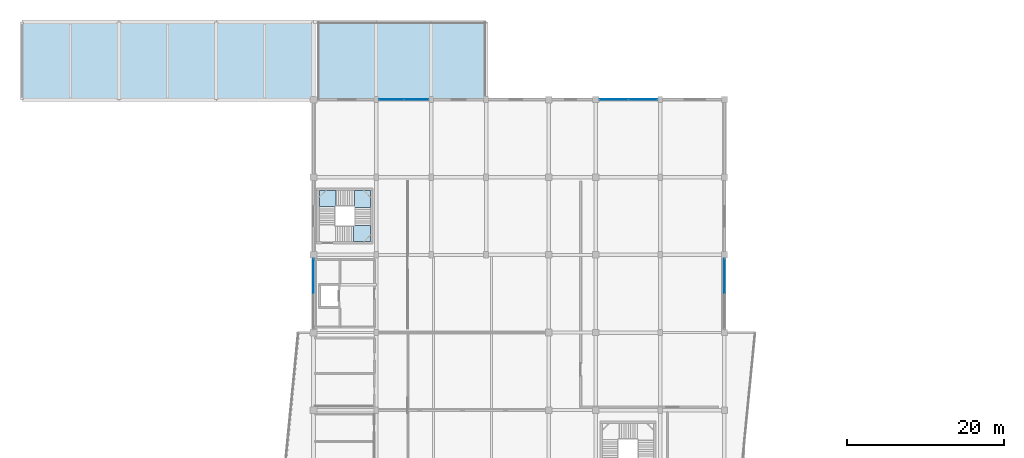
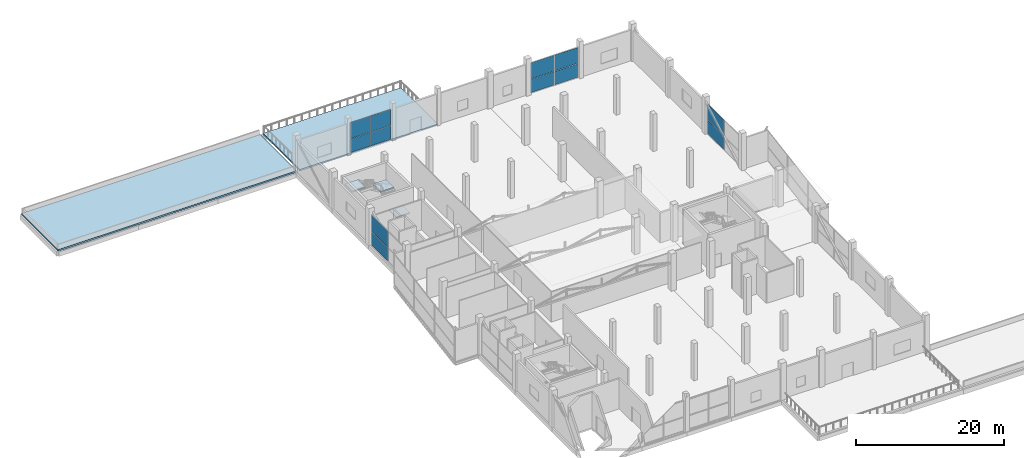
# One storey, part 36 of 58: 12 plates, 5 slabs, 5 elements without a shape of their own.
"""IFC4 building model written with IfcOpenShell, lengths in metres."""

from ifc_helpers import new_model, si_unit, direction, frame, origin, origin_2d, place, context, subcontext, project, spatial, polyline, rectangle, outline, extrude, material, layer, layer_set, type_object, element, aggregate, save


model = new_model("IFC4")

# Units and contexts
model_context = context("Model", 3, precision=1e-05, world=origin(), true_north=direction((0.0, 1.0)))
body_context = subcontext(model_context, "Body", "Model", "MODEL_VIEW")
ifc_project = project(units=[si_unit("LENGTHUNIT", "METRE"), si_unit("AREAUNIT", "SQUARE_METRE"), si_unit("VOLUMEUNIT", "CUBIC_METRE"), si_unit("PLANEANGLEUNIT", "RADIAN"), si_unit("MASSUNIT", "GRAM", prefix="KILO")], contexts=[model_context])

# Site, building, storey
site_placement = place(None, origin())
site = spatial("IfcSite", under=ifc_project, at=site_placement, CompositionType="ELEMENT")
building_placement = place(site_placement, origin())
building = spatial("IfcBuilding", under=site, at=building_placement, Name="Sillaruma Civic Art Gallery", CompositionType="ELEMENT")
storey_placement = place(building_placement, frame((0.0, 0.0, 22.43994140625)))
storey = spatial("IfcBuildingStorey", under=building, at=storey_placement, Name="L04", CompositionType="ELEMENT", Elevation=22.43994140625)

# Curtain wall, plates
ifc_material_1 = material(Name="Thermally Broken Extruded Aluminium 6063-T6", Category="aluminium")
ifc_layer_1 = layer(ifc_material_1, 0.139892578125, Name="Thermally Broken Extruded Aluminium 6063-T6")
ifc_layer_set_1 = layer_set([ifc_layer_1], Name="Thermally Broken Extruded Aluminium 6063-T6")
curtain_wall_type_1 = type_object("IfcCurtainWallType", Name="CW-UNI-26", PredefinedType="NOTDEFINED", material=ifc_layer_set_1)
curtain_wall_1_placement = place(storey_placement, origin())
curtain_wall_1 = element("IfcCurtainWall", 1, at=curtain_wall_1_placement, inside=storey, type_object=curtain_wall_type_1, Name="Unitised Curtain Wall CW-26 (CW-L04-N-2)", PredefinedType="NOTDEFINED")
ifc_material_2 = material(Name="Low-E UV-Filtered Laminated Insulating Glass", Category="glass")
ifc_layer_2 = layer(ifc_material_2, 0.028076171875, Name="Low-E UV-Filtered Laminated Insulating Glass")
ifc_layer_set_2 = layer_set([ifc_layer_2], Name="Low-E UV-Filtered Laminated Insulating Glass")
plate_type_1 = type_object("IfcPlateType", Name="PNL-GLZ-28", PredefinedType="CURTAIN_PANEL", material=ifc_layer_set_2)
plate_1_placement = place(storey_placement, frame((71.9150390625, 99.0, 0.06005859375), z_axis=(0.0, 0.0, 1.0), x_axis=(1.0, 0.0, 0.0)))
plate_1 = element("IfcPlate", 2, at=plate_1_placement, type_object=plate_type_1, Name="CW-26 panel 1.1", PredefinedType="CURTAIN_PANEL", context=body_context, shape_type="SweptSolid", body=[
    extrude(rectangle(XDim=3.110107421875, YDim=0.028076171875, at=origin_2d()), origin(), (0.0, 0.0, 1.0), 2.237548828125),
])
plate_2_placement = place(storey_placement, frame((71.9150390625, 99.0, 2.35791015625), z_axis=(0.0, 0.0, 1.0), x_axis=(1.0, 0.0, 0.0)))
plate_2 = element("IfcPlate", 3, at=plate_2_placement, type_object=plate_type_1, Name="CW-26 panel 1.2", PredefinedType="CURTAIN_PANEL", context=body_context, shape_type="SweptSolid", body=[
    extrude(rectangle(XDim=3.110107421875, YDim=0.028076171875, at=origin_2d()), origin(), (0.0, 0.0, 1.0), 2.642333984375),
])
plate_3_placement = place(storey_placement, frame((75.0849609375, 99.0, 0.06005859375), z_axis=(0.0, 0.0, 1.0), x_axis=(1.0, 0.0, 0.0)))
plate_3 = element("IfcPlate", 4, at=plate_3_placement, type_object=plate_type_1, Name="CW-26 panel 2.1", PredefinedType="CURTAIN_PANEL", context=body_context, shape_type="SweptSolid", body=[
    extrude(rectangle(XDim=3.110107421875, YDim=0.028076171875, at=origin_2d()), origin(), (0.0, 0.0, 1.0), 2.237548828125),
])
plate_4_placement = place(storey_placement, frame((75.0849609375, 99.0, 2.35791015625), z_axis=(0.0, 0.0, 1.0), x_axis=(1.0, 0.0, 0.0)))
plate_4 = element("IfcPlate", 5, at=plate_4_placement, type_object=plate_type_1, Name="CW-26 panel 2.2", PredefinedType="CURTAIN_PANEL", context=body_context, shape_type="SweptSolid", body=[
    extrude(rectangle(XDim=3.110107421875, YDim=0.028076171875, at=origin_2d()), origin(), (0.0, 0.0, 1.0), 2.642333984375),
])
aggregate(curtain_wall_1, [plate_1, plate_2, plate_3, plate_4])

# Curtain wall, plate
ifc_layer_3 = layer(ifc_material_1, 0.179931640625, Name="Thermally Broken Extruded Aluminium 6063-T6")
ifc_layer_set_3 = layer_set([ifc_layer_3], Name="Thermally Broken Extruded Aluminium 6063-T6")
curtain_wall_type_2 = type_object("IfcCurtainWallType", Name="CW-UNI-22", PredefinedType="NOTDEFINED", material=ifc_layer_set_3)
curtain_wall_2_placement = place(storey_placement, origin())
curtain_wall_2 = element("IfcCurtainWall", 6, at=curtain_wall_2_placement, inside=storey, type_object=curtain_wall_type_2, Name="Unitised Curtain Wall CW-22 (CW-L04-W-6)", PredefinedType="NOTDEFINED")
ifc_layer_4 = layer(ifc_material_2, 0.035888671875, Name="Low-E UV-Filtered Laminated Insulating Glass")
ifc_layer_set_4 = layer_set([ifc_layer_4], Name="Low-E UV-Filtered Laminated Insulating Glass")
plate_type_2 = type_object("IfcPlateType", Name="PNL-GLZ-36", PredefinedType="CURTAIN_PANEL", material=ifc_layer_set_4)
plate_5_placement = place(storey_placement, frame((62.0, 76.4951171875, 0.070068359375), z_axis=(0.0, 0.0, 1.0), x_axis=(0.0, 1.0, 0.0)))
plate_5 = element("IfcPlate", 7, at=plate_5_placement, type_object=plate_type_2, Name="CW-22 panel 2.1", PredefinedType="CURTAIN_PANEL", context=body_context, shape_type="SweptSolid", body=[
    extrude(rectangle(XDim=4.419921875, YDim=0.035888671875, at=origin_2d()), origin(), (0.0, 0.0, 1.0), 2.22265625),
])

# Curtain wall, plates
ifc_layer_5 = layer(ifc_material_1, 0.179931640625, Name="Thermally Broken Extruded Aluminium 6063-T6")
ifc_layer_set_5 = layer_set([ifc_layer_5], Name="Thermally Broken Extruded Aluminium 6063-T6")
curtain_wall_type_3 = type_object("IfcCurtainWallType", Name="CW-UNI-27", PredefinedType="NOTDEFINED", material=ifc_layer_set_5)
curtain_wall_3_placement = place(storey_placement, origin())
curtain_wall_3 = element("IfcCurtainWall", 8, at=curtain_wall_3_placement, inside=storey, type_object=curtain_wall_type_3, Name="Unitised Curtain Wall CW-27 (CW-L04-N-6)", PredefinedType="NOTDEFINED")
plate_6_placement = place(storey_placement, frame((100.29248046875, 99.0, 0.070068359375), z_axis=(0.0, 0.0, 1.0), x_axis=(1.0, 0.0, 0.0)))
plate_6 = element("IfcPlate", 9, at=plate_6_placement, type_object=plate_type_2, Name="CW-27 panel 1.1", PredefinedType="CURTAIN_PANEL", context=body_context, shape_type="SweptSolid", body=[
    extrude(rectangle(XDim=3.64501953125, YDim=0.035888671875, at=origin_2d()), origin(), (0.0, 0.0, 1.0), 2.22265625),
])
plate_7_placement = place(storey_placement, frame((100.29248046875, 99.0, 2.362548828125), z_axis=(0.0, 0.0, 1.0), x_axis=(1.0, 0.0, 0.0)))
plate_7 = element("IfcPlate", 10, at=plate_7_placement, type_object=plate_type_2, Name="CW-27 panel 1.2", PredefinedType="CURTAIN_PANEL", context=body_context, shape_type="SweptSolid", body=[
    extrude(rectangle(XDim=3.64501953125, YDim=0.035888671875, at=origin_2d()), origin(), (0.0, 0.0, 1.0), 2.62744140625),
])
plate_8_placement = place(storey_placement, frame((104.007568359375, 99.0, 0.070068359375), z_axis=(0.0, 0.0, 1.0), x_axis=(1.0, 0.0, 0.0)))
plate_8 = element("IfcPlate", 11, at=plate_8_placement, type_object=plate_type_2, Name="CW-27 panel 2.1", PredefinedType="CURTAIN_PANEL", context=body_context, shape_type="SweptSolid", body=[
    extrude(rectangle(XDim=3.64501953125, YDim=0.035888671875, at=origin_2d()), origin(), (0.0, 0.0, 1.0), 2.22265625),
])
plate_9_placement = place(storey_placement, frame((104.007568359375, 99.0, 2.362548828125), z_axis=(0.0, 0.0, 1.0), x_axis=(1.0, 0.0, 0.0)))
plate_9 = element("IfcPlate", 12, at=plate_9_placement, type_object=plate_type_2, Name="CW-27 panel 2.2", PredefinedType="CURTAIN_PANEL", context=body_context, shape_type="SweptSolid", body=[
    extrude(rectangle(XDim=3.64501953125, YDim=0.035888671875, at=origin_2d()), origin(), (0.0, 0.0, 1.0), 2.62744140625),
])
aggregate(curtain_wall_3, [plate_6, plate_7, plate_8, plate_9])

# Curtain wall, plate
ifc_layer_6 = layer(ifc_material_1, 0.179931640625, Name="Thermally Broken Extruded Aluminium 6063-T6")
ifc_layer_set_6 = layer_set([ifc_layer_6], Name="Thermally Broken Extruded Aluminium 6063-T6")
curtain_wall_type_4 = type_object("IfcCurtainWallType", Name="CW-UNI-21", PredefinedType="NOTDEFINED", material=ifc_layer_set_6)
curtain_wall_4_placement = place(storey_placement, origin())
curtain_wall_4 = element("IfcCurtainWall", 13, at=curtain_wall_4_placement, inside=storey, type_object=curtain_wall_type_4, Name="Unitised Curtain Wall CW-21 (CW-L04-E-6)", PredefinedType="NOTDEFINED")
ifc_layer_7 = layer(ifc_material_2, 0.0400390625, Name="Low-E UV-Filtered Laminated Insulating Glass")
ifc_layer_set_7 = layer_set([ifc_layer_7], Name="Low-E UV-Filtered Laminated Insulating Glass")
plate_type_3 = type_object("IfcPlateType", Name="PNL-GLZ-40", PredefinedType="CURTAIN_PANEL", material=ifc_layer_set_7)
plate_10_placement = place(storey_placement, frame((114.39990234375, 76.507568359375, 0.065185546875), z_axis=(0.0, 0.0, 1.0), x_axis=(0.0, 1.0, 0.0)))
plate_10 = element("IfcPlate", 14, at=plate_10_placement, type_object=plate_type_3, Name="CW-21 panel 2.1", PredefinedType="CURTAIN_PANEL", context=body_context, shape_type="SweptSolid", body=[
    extrude(rectangle(XDim=4.445068359375, YDim=0.0400390625, at=origin_2d()), origin(), (0.0, 0.0, 1.0), 2.22998046875),
])

# Plate
ifc_material_3 = material(Name="Anodised Zinc-Aluminium Alloy", Category="aluminium")
ifc_layer_8 = layer(ifc_material_3, 0.035888671875, Name="Anodised Zinc-Aluminium Alloy")
ifc_layer_set_8 = layer_set([ifc_layer_8], Name="Anodised Zinc-Aluminium Alloy")
plate_type_4 = type_object("IfcPlateType", Name="PNL-SPD-36", PredefinedType="CURTAIN_PANEL", material=ifc_layer_set_8)
plate_11_placement = place(storey_placement, frame((62.0, 76.4951171875, 2.362548828125), z_axis=(0.0, 0.0, 1.0), x_axis=(0.0, 1.0, 0.0)))
plate_11 = element("IfcPlate", 15, at=plate_11_placement, type_object=plate_type_4, Name="CW-22 panel 2.2", PredefinedType="CURTAIN_PANEL", context=body_context, shape_type="SweptSolid", body=[
    extrude(rectangle(XDim=4.419921875, YDim=0.035888671875, at=origin_2d()), origin(), (0.0, 0.0, 1.0), 2.62744140625),
])

aggregate(curtain_wall_2, [plate_5, plate_11])

ifc_layer_9 = layer(ifc_material_3, 0.0400390625, Name="Anodised Zinc-Aluminium Alloy")
ifc_layer_set_9 = layer_set([ifc_layer_9], Name="Anodised Zinc-Aluminium Alloy")
plate_type_5 = type_object("IfcPlateType", Name="PNL-SPD-40", PredefinedType="CURTAIN_PANEL", material=ifc_layer_set_9)
plate_12_placement = place(storey_placement, frame((114.39990234375, 76.507568359375, 2.35986328125), z_axis=(0.0, 0.0, 1.0), x_axis=(0.0, 1.0, 0.0)))
plate_12 = element("IfcPlate", 16, at=plate_12_placement, type_object=plate_type_5, Name="CW-21 panel 2.2", PredefinedType="CURTAIN_PANEL", context=body_context, shape_type="SweptSolid", body=[
    extrude(rectangle(XDim=4.445068359375, YDim=0.0400390625, at=origin_2d()), origin(), (0.0, 0.0, 1.0), 2.635009765625),
])

aggregate(curtain_wall_4, [plate_10, plate_12])

# Slab
ifc_material_4 = material(Name="Concrete H35 (35 MPa)", Category="concrete")
ifc_layer_10 = layer(ifc_material_4, 0.25, Name="Concrete H35 (35 MPa)")
ifc_layer_set_10 = layer_set([ifc_layer_10], Name="Concrete H35 (35 MPa)")
slab_type_1 = type_object("IfcSlabType", Name="SLB-EXT-250", PredefinedType="FLOOR", material=ifc_layer_set_10)
slab_1_placement = place(storey_placement, frame((0.0, 0.0, -0.25)))
element("IfcSlab", 17, at=slab_1_placement, inside=storey, type_object=slab_type_1, Name="L04 North Sculpture Terrace (SLB-L04-TER-N)", PredefinedType="FLOOR", context=body_context, shape_type="SweptSolid", body=[
    extrude(outline(polyline([(62.5, 99.0), (84.0, 99.0), (84.0, 108.89990234375), (62.5, 108.89990234375), (62.5, 99.0)])), origin(), (0.0, 0.0, 1.0), 0.25),
])

# Stair, slabs
stair_type = type_object("IfcStairType", Name="STR-4F-36", PredefinedType="USERDEFINED", material=ifc_material_4)
stair_placement = place(storey_placement, origin())
stair = element("IfcStair", 18, at=stair_placement, inside=storey, type_object=stair_type, Name="Protected Exit Stair ST-02 (West Bar North) (L04)", ObjectType="THREE_RETURN_STAIR", PredefinedType="USERDEFINED")
ifc_layer_11 = layer(ifc_material_4, 0.199951171875, Name="Concrete H35 (35 MPa)")
ifc_layer_set_11 = layer_set([ifc_layer_11], Name="Concrete H35 (35 MPa)")
slab_type_2 = type_object("IfcSlabType", Name="SLB-LND-200", PredefinedType="LANDING", material=ifc_layer_set_11)
slab_2_placement = place(storey_placement, frame((0.0, 0.0, 1.330078125)))
slab_2 = element("IfcSlab", 19, at=slab_2_placement, type_object=slab_type_2, Name="ST-02 landing 1", PredefinedType="LANDING", context=body_context, shape_type="SweptSolid", body=[
    extrude(outline(polyline([(67.1201171875, 80.909912109375), (69.239990234375, 80.909912109375), (69.239990234375, 82.949951171875), (67.1201171875, 82.949951171875), (67.1201171875, 80.909912109375)])), origin(), (0.0, 0.0, 1.0), 0.199951171875),
])
slab_3_placement = place(storey_placement, frame((0.0, 0.0, 2.860107421875)))
slab_3 = element("IfcSlab", 20, at=slab_3_placement, type_object=slab_type_2, Name="ST-02 landing 2", PredefinedType="LANDING", context=body_context, shape_type="SweptSolid", body=[
    extrude(outline(polyline([(67.199951171875, 85.27001953125), (69.239990234375, 85.27001953125), (69.239990234375, 87.389892578125), (67.199951171875, 87.389892578125), (67.199951171875, 85.27001953125)])), origin(), (0.0, 0.0, 1.0), 0.199951171875),
])
slab_4_placement = place(storey_placement, frame((0.0, 0.0, 4.39013671875)))
slab_4 = element("IfcSlab", 21, at=slab_4_placement, type_object=slab_type_2, Name="ST-02 landing 3", PredefinedType="LANDING", context=body_context, shape_type="SweptSolid", body=[
    extrude(outline(polyline([(62.760009765625, 85.35009765625), (64.8798828125, 85.35009765625), (64.8798828125, 87.389892578125), (62.760009765625, 87.389892578125), (62.760009765625, 85.35009765625)])), origin(), (0.0, 0.0, 1.0), 0.199951171875),
])
aggregate(stair, [slab_2, slab_3, slab_4])

# Slab
ifc_layer_12 = layer(ifc_material_4, 0.260009765625, Name="Concrete H35 (35 MPa)")
ifc_layer_set_12 = layer_set([ifc_layer_12], Name="Concrete H35 (35 MPa)")
slab_type_3 = type_object("IfcSlabType", Name="SLB-ROOF-260", PredefinedType="ROOF", material=ifc_layer_set_12)
slab_5_placement = place(storey_placement, frame((0.0, 0.0, -0.260009765625)))
element("IfcSlab", 22, at=slab_5_placement, inside=storey, type_object=slab_type_3, Name="Roof Slab SR-260 (ROOF-L04-HH1)", PredefinedType="ROOF", context=body_context, shape_type="SweptSolid", body=[
    extrude(outline(polyline([(24.800048828125, 99.0), (62.0, 99.0), (62.0, 108.89990234375), (24.800048828125, 108.89990234375), (24.800048828125, 99.0)])), origin(), (0.0, 0.0, 1.0), 0.260009765625),
])

save(model, "model.ifc")
